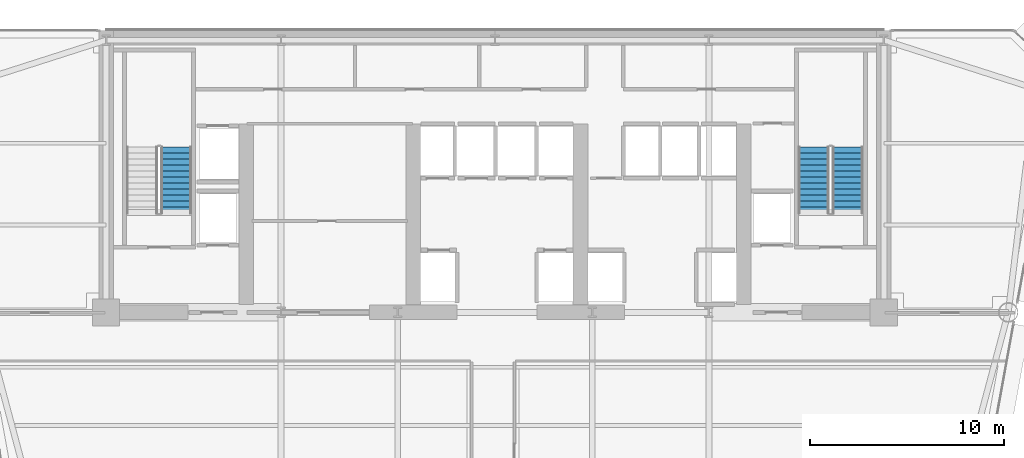
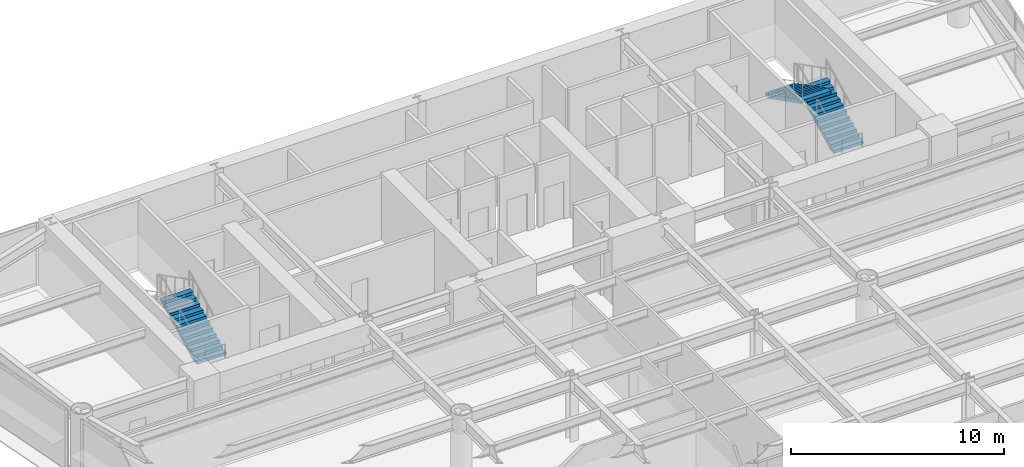
# One storey, part 10 of 14: 3 stair flights, 2 elements without a shape of their own.
"""IFC4 building model written with IfcOpenShell, lengths in metres."""

import ifcopenshell
import ifcopenshell.guid

model = None  # the IFC model being written
_history = None  # IfcOwnerHistory: only IFC2X3 demands one
_inside = {}  # id of a spatial element -> (the spatial element, [elements in it])
_under = {}  # id of a project, library or spatial element -> (it, [spatial elements below it])
_declared = {}  # id of a project -> (the project, [libraries it declares])
_typed = {}  # id of a type object -> (the type object, [elements of that type])
_made_of = {}  # id of a material, layer set ... -> (it, [elements and type objects made of it])


def new_model(schema):
    """Start an empty IFC model of exactly this schema.

    Asked for "IFC4X3", IfcOpenShell would pick the latest addendum, in which some entities
    have other attributes; the version numbers below select the first issue.
    IFC2X3 requires an IfcOwnerHistory on every rooted entity: one is made here for all.
    """
    global model, _history
    if schema == "IFC4X3":
        model = ifcopenshell.file(schema_version=(4, 3, 0, 0))
    else:
        model = ifcopenshell.file(schema=schema)
    _inside.clear()
    _under.clear()
    _declared.clear()
    _typed.clear()
    _made_of.clear()
    _history = None
    if model.schema == "IFC2X3":
        org = make("IfcOrganization", Name="unknown")
        user = make(
            "IfcPersonAndOrganization",
            ThePerson=make("IfcPerson", FamilyName="unknown"),
            TheOrganization=org,
        )
        app = make(
            "IfcApplication",
            ApplicationDeveloper=org,
            Version="unknown",
            ApplicationFullName="unknown",
            ApplicationIdentifier="unknown",
        )
        _history = make(
            "IfcOwnerHistory",
            OwningUser=user,
            OwningApplication=app,
            ChangeAction="ADDED",
            CreationDate=0,
        )
    return model


def make(cls, **values):
    """One entity of the class cls with the attributes given. An attribute that is None is left unset."""
    return model.create_entity(
        cls, **{name: value for name, value in values.items() if value is not None}
    )


def rooted(cls, **values):
    """An entity with a GlobalId (a new one), such as an element, a storey or a relation."""
    return make(cls, GlobalId=ifcopenshell.guid.new(), OwnerHistory=_history, **values)


def si_unit(unit_type, name, prefix=None):
    """IfcSIUnit, for example si_unit("LENGTHUNIT", "METRE", prefix="MILLI")."""
    return make("IfcSIUnit", UnitType=unit_type, Prefix=prefix, Name=name)


def assignment(units):
    """IfcUnitAssignment: the units of a project."""
    return None if units is None else make("IfcUnitAssignment", Units=units)


def point(xyz):
    """IfcCartesianPoint."""
    return None if xyz is None else make("IfcCartesianPoint", Coordinates=xyz)


def direction(xyz):
    """IfcDirection."""
    return None if xyz is None else make("IfcDirection", DirectionRatios=xyz)


def frame(location, z_axis=None, x_axis=None):
    """IfcAxis2Placement3D, a coordinate frame: its origin and axes. An axis left out is left unset."""
    return make(
        "IfcAxis2Placement3D",
        Location=point(location),
        Axis=direction(z_axis),
        RefDirection=direction(x_axis),
    )


def origin():
    """The frame at (0, 0, 0) with its axes left unset."""
    return frame((0.0, 0.0, 0.0))


def place(relative_to, where):
    """IfcLocalPlacement: puts the frame where relative to a parent placement (None: the world)."""
    return make(
        "IfcLocalPlacement", PlacementRelTo=relative_to, RelativePlacement=where
    )


def context(
    kind, dimensions, precision=None, world=None, true_north=None, identifier=None
):
    """IfcGeometricRepresentationContext, for example the 3D "Model" context."""
    return make(
        "IfcGeometricRepresentationContext",
        ContextIdentifier=identifier,
        ContextType=kind,
        CoordinateSpaceDimension=dimensions,
        Precision=precision,
        WorldCoordinateSystem=world,
        TrueNorth=true_north,
    )


def subcontext(parent, identifier, kind, view, scale=None):
    """IfcGeometricRepresentationSubContext, for example "Body" below "Model"."""
    return make(
        "IfcGeometricRepresentationSubContext",
        ContextIdentifier=identifier,
        ContextType=kind,
        ParentContext=parent,
        TargetScale=scale,
        TargetView=view,
    )


def project(units=None, contexts=None):
    """IfcProject with its units and contexts."""
    return rooted(
        "IfcProject",
        Name="project",
        RepresentationContexts=contexts,
        UnitsInContext=assignment(units),
    )


def spatial(cls, under=None, at=None, **own):
    """A site, building, storey or space (cls), placed at a placement, below another one or the project."""
    s = rooted(cls, ObjectPlacement=at, **own)
    if under is not None:
        _under.setdefault(under.id(), (under, []))[1].append(s)
    return s


def polyline(points):
    """IfcPolyline through the points."""
    return make("IfcPolyline", Points=[point(p) for p in points])


def outline(outer, holes=None, kind="AREA"):
    """IfcArbitraryClosedProfileDef: a profile drawn as a closed curve; with holes, ...WithVoids."""
    if holes is None:
        return make("IfcArbitraryClosedProfileDef", ProfileType=kind, OuterCurve=outer)
    return make(
        "IfcArbitraryProfileDefWithVoids",
        ProfileType=kind,
        OuterCurve=outer,
        InnerCurves=holes,
    )


def extrude(swept, where, along, depth):
    """IfcExtrudedAreaSolid: the profile swept, set in the frame where, extruded along a direction by depth."""
    return make(
        "IfcExtrudedAreaSolid",
        SweptArea=swept,
        Position=where,
        ExtrudedDirection=direction(along),
        Depth=depth,
    )


def shape(context_of_items, identifier, shape_type, items):
    """IfcShapeRepresentation: the items that make up one representation, for example the "Body"."""
    return make(
        "IfcShapeRepresentation",
        ContextOfItems=context_of_items,
        RepresentationIdentifier=identifier,
        RepresentationType=shape_type,
        Items=items,
    )


def material(Name=None, Category=None):
    """IfcMaterial."""
    return make("IfcMaterial", Name=Name, Category=Category)


def made_of(thing, what):
    """Note that an element or type object is made of a material, layer set ...; save() writes the relation."""
    if what is not None:
        _made_of.setdefault(what.id(), (what, []))[1].append(thing)
    return thing


def type_object(cls, material=None, **own):
    """A type object (cls), such as IfcWallType, which elements share."""
    return made_of(rooted(cls, **own), material)


def element(
    cls,
    number,
    at=None,
    inside=None,
    cuts=None,
    type_object=None,
    material=None,
    context=None,
    identifier="Body",
    shape_type=None,
    held_by="IfcProductDefinitionShape",
    body=None,
    shapes=None,
    **own,
):
    """One element of the class cls, such as IfcWall. Its Tag is "e" and its number.

    at: its placement. inside: the storey or other place that contains it. cuts: it is an
    opening in that element (IfcRelVoidsElement). A single representation is given by context,
    identifier, shape_type and body (its items); several are given by shapes. held_by: the class
    of the entity that holds the representations. save() writes the other relations.
    """
    e = rooted(cls, Tag="e%d" % number, ObjectPlacement=at, **own)
    if body is not None:
        shapes = [shape(context, identifier, shape_type, body)]
    if shapes is not None:
        e.Representation = make(held_by, Representations=shapes)
    if inside is not None:
        _inside.setdefault(inside.id(), (inside, []))[1].append(e)
    if cuts is not None:
        rooted(
            "IfcRelVoidsElement", RelatingBuildingElement=cuts, RelatedOpeningElement=e
        )
    if type_object is not None:
        _typed.setdefault(type_object.id(), (type_object, []))[1].append(e)
    return made_of(e, material)


def aggregate(whole, parts):
    """IfcRelAggregates: a whole, such as a stair, and the parts it consists of."""
    return rooted("IfcRelAggregates", RelatingObject=whole, RelatedObjects=parts)


def save(model, path):
    """Write the relations noted so far, then the file.

    IfcRelAggregates (storeys below a building ...), IfcRelContainedInSpatialStructure (elements
    in a storey), IfcRelDefinesByType, IfcRelAssociatesMaterial and IfcRelDeclares: one each for
    every whole, place, type object, material and project.
    """
    for whole, parts in _under.values():
        aggregate(whole, parts)
    for where, things in _inside.values():
        rooted(
            "IfcRelContainedInSpatialStructure",
            RelatedElements=things,
            RelatingStructure=where,
        )
    for kind, things in _typed.values():
        rooted("IfcRelDefinesByType", RelatedObjects=things, RelatingType=kind)
    for what, things in _made_of.values():
        rooted("IfcRelAssociatesMaterial", RelatedObjects=things, RelatingMaterial=what)
    for by, libraries in _declared.values():
        rooted("IfcRelDeclares", RelatingContext=by, RelatedDefinitions=libraries)
    model.write(path)


model = new_model("IFC4")

# Units and contexts
model_context = context("Model", 3, precision=1e-05, world=origin(), true_north=direction((0.0, 1.0)))
body_context = subcontext(model_context, "Body", "Model", "MODEL_VIEW")
ifc_project = project(units=[si_unit("LENGTHUNIT", "METRE"), si_unit("AREAUNIT", "SQUARE_METRE"), si_unit("VOLUMEUNIT", "CUBIC_METRE"), si_unit("PLANEANGLEUNIT", "RADIAN"), si_unit("MASSUNIT", "GRAM", prefix="KILO")], contexts=[model_context])

# Site, building, storey
site_placement = place(None, origin())
site = spatial("IfcSite", under=ifc_project, at=site_placement, CompositionType="ELEMENT")
building_placement = place(site_placement, origin())
building = spatial("IfcBuilding", under=site, at=building_placement, Name="Vaeldorn Concourse Tower", CompositionType="ELEMENT")
storey_placement = place(building_placement, frame((0.0, 0.0, 118.60009765625)))
storey = spatial("IfcBuildingStorey", under=building, at=storey_placement, Name="L30", CompositionType="ELEMENT", Elevation=118.60009765625)

# Stair, stair flight
ifc_material = material(Name="Precast concrete C40/50", Category="concrete")
stair_type = type_object("IfcStairType", Name="STR-DOG-24x158", PredefinedType="HALF_TURN_STAIR", material=ifc_material)
stair_1_placement = place(storey_placement, origin())
stair_1 = element("IfcStair", 1, at=stair_1_placement, inside=storey, type_object=stair_type, Name="L30 West Core Exit Stair ST-1", PredefinedType="HALF_TURN_STAIR")
stair_flight_type = type_object("IfcStairFlightType", Name="STF-STR-12x158", PredefinedType="STRAIGHT", material=ifc_material)
stair_flight_1_placement = place(storey_placement, frame((17.60009765625, 41.60009765625, 0.0), z_axis=(0.0, 0.0, 1.0), x_axis=(0.0, 1.0, 0.0)))
stair_flight_1 = element("IfcStairFlight", 2, at=stair_flight_1_placement, type_object=stair_flight_type, Name="ST-1 flight 1", NumberOfRisers=12, NumberOfTreads=11, PredefinedType="STRAIGHT", RiserHeight=0.158333333, TreadLength=0.31, context=body_context, shape_type="SweptSolid", body=[
    extrude(outline(polyline([(0.0, 0.0), (0.0, 0.158447265625), (0.31005859375, 0.158447265625), (0.31005859375, 0.316650390625), (0.6201171875, 0.316650390625), (0.6201171875, 0.47509765625), (0.929931640625, 0.47509765625), (0.929931640625, 0.63330078125), (1.239990234375, 0.63330078125), (1.239990234375, 0.791748046875), (1.550048828125, 0.791748046875), (1.550048828125, 0.949951171875), (1.860107421875, 0.949951171875), (1.860107421875, 1.1083984375), (2.169921875, 1.1083984375), (2.169921875, 1.2666015625), (2.47998046875, 1.2666015625), (2.47998046875, 1.425048828125), (2.7900390625, 1.425048828125), (2.7900390625, 1.583251953125), (3.10009765625, 1.583251953125), (3.10009765625, 1.74169921875), (3.409912109375, 1.74169921875), (3.409912109375, 1.89990234375), (3.409912109375, 1.5732421875), (0.32958984375, 0.0), (0.0, 0.0)])), frame((0.0, 0.800048828125, 0.0), z_axis=(0.0, -1.0, 0.0), x_axis=(1.0, 0.0, 0.0)), (0.0, 0.0, 1.0), 1.60009765625),
])
aggregate(stair_1, [stair_flight_1])

# Stair, stair flights
stair_2_placement = place(storey_placement, origin())
stair_2 = element("IfcStair", 3, at=stair_2_placement, inside=storey, type_object=stair_type, Name="L30 East Core Exit Stair ST-2", PredefinedType="HALF_TURN_STAIR")
stair_flight_2_placement = place(storey_placement, frame((52.14990234375, 41.60009765625, 0.0), z_axis=(0.0, 0.0, 1.0), x_axis=(0.0, 1.0, 0.0)))
stair_flight_2 = element("IfcStairFlight", 4, at=stair_flight_2_placement, type_object=stair_flight_type, Name="ST-2 flight 1", NumberOfRisers=12, NumberOfTreads=11, PredefinedType="STRAIGHT", RiserHeight=0.158333333, TreadLength=0.31, context=body_context, shape_type="SweptSolid", body=[
    extrude(outline(polyline([(0.0, 0.0), (0.0, 0.158447265625), (0.31005859375, 0.158447265625), (0.31005859375, 0.316650390625), (0.6201171875, 0.316650390625), (0.6201171875, 0.47509765625), (0.929931640625, 0.47509765625), (0.929931640625, 0.63330078125), (1.239990234375, 0.63330078125), (1.239990234375, 0.791748046875), (1.550048828125, 0.791748046875), (1.550048828125, 0.949951171875), (1.860107421875, 0.949951171875), (1.860107421875, 1.1083984375), (2.169921875, 1.1083984375), (2.169921875, 1.2666015625), (2.47998046875, 1.2666015625), (2.47998046875, 1.425048828125), (2.7900390625, 1.425048828125), (2.7900390625, 1.583251953125), (3.10009765625, 1.583251953125), (3.10009765625, 1.74169921875), (3.409912109375, 1.74169921875), (3.409912109375, 1.89990234375), (3.409912109375, 1.5732421875), (0.32958984375, 0.0), (0.0, 0.0)])), frame((0.0, 0.800048828125, 0.0), z_axis=(0.0, -1.0, 0.0), x_axis=(1.0, 0.0, 0.0)), (0.0, 0.0, 1.0), 1.60009765625),
])
stair_flight_3_placement = place(storey_placement, frame((50.39990234375, 45.010009765625, 1.89990234375), z_axis=(0.0, 0.0, 1.0), x_axis=(0.0, -1.0, 0.0)))
stair_flight_3 = element("IfcStairFlight", 5, at=stair_flight_3_placement, type_object=stair_flight_type, Name="ST-2 flight 2", NumberOfRisers=12, NumberOfTreads=11, PredefinedType="STRAIGHT", RiserHeight=0.158333333, TreadLength=0.31, context=body_context, shape_type="SweptSolid", body=[
    extrude(outline(polyline([(0.0, 0.0), (0.0, 0.158447265625), (0.31005859375, 0.158447265625), (0.31005859375, 0.316650390625), (0.6201171875, 0.316650390625), (0.6201171875, 0.47509765625), (0.929931640625, 0.47509765625), (0.929931640625, 0.63330078125), (1.239990234375, 0.63330078125), (1.239990234375, 0.791748046875), (1.550048828125, 0.791748046875), (1.550048828125, 0.949951171875), (1.860107421875, 0.949951171875), (1.860107421875, 1.1083984375), (2.169921875, 1.1083984375), (2.169921875, 1.2666015625), (2.47998046875, 1.2666015625), (2.47998046875, 1.425048828125), (2.7900390625, 1.425048828125), (2.7900390625, 1.583251953125), (3.10009765625, 1.583251953125), (3.10009765625, 1.74169921875), (3.409912109375, 1.74169921875), (3.409912109375, 1.89990234375), (3.409912109375, 1.5732421875), (0.32958984375, 0.0), (0.0, 0.0)])), frame((0.0, 0.800048828125, 0.0), z_axis=(0.0, -1.0, 0.0), x_axis=(1.0, 0.0, 0.0)), (0.0, 0.0, 1.0), 1.60009765625),
])
aggregate(stair_2, [stair_flight_2, stair_flight_3])

save(model, "model.ifc")
